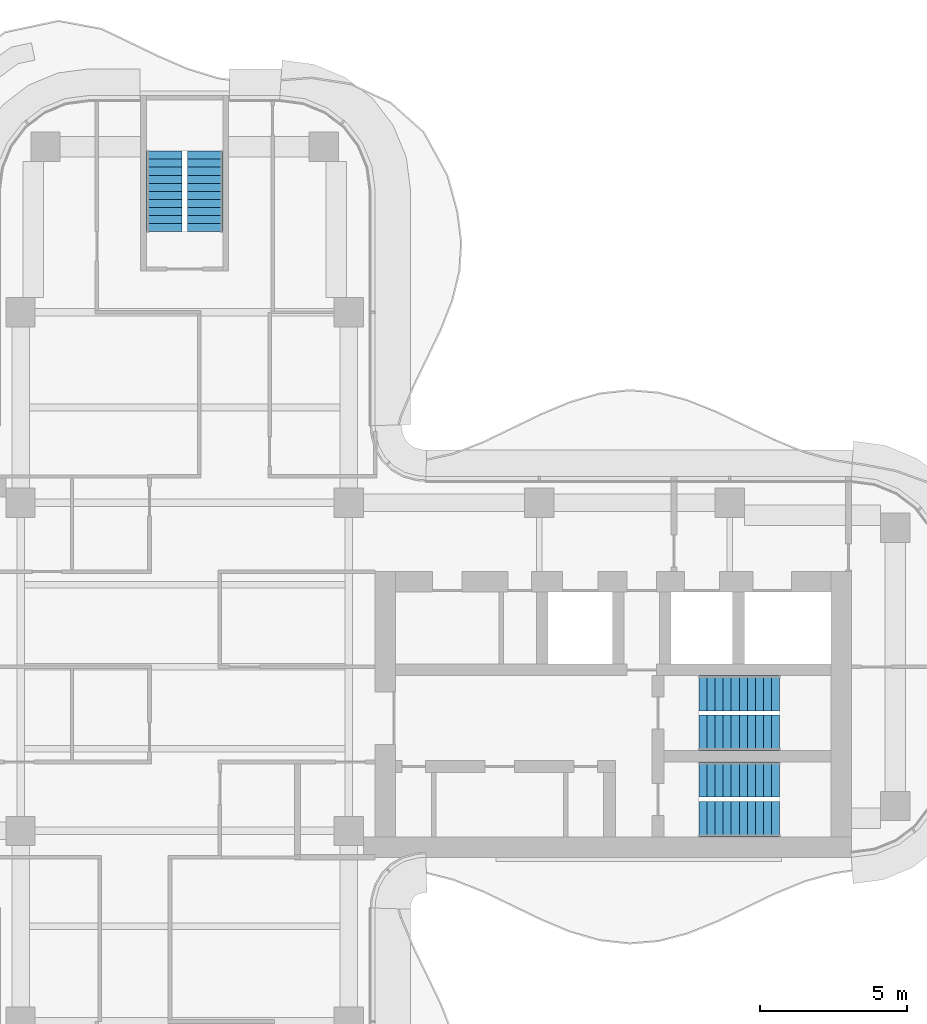
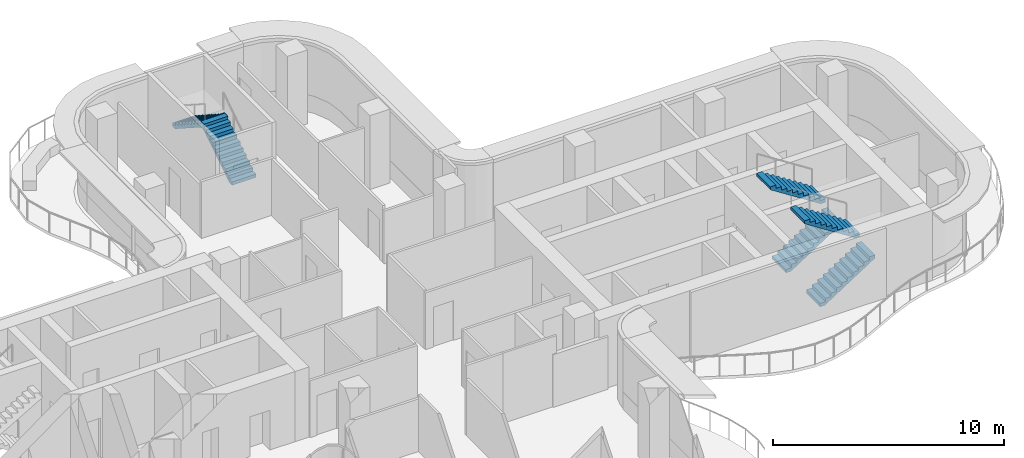
# One storey, part 14 of 16: 6 stair flights, 3 elements without a shape of their own.
"""IFC4 building model written with IfcOpenShell, lengths in metres."""

from ifc_helpers import new_model, si_unit, direction, frame, origin, place, context, subcontext, project, spatial, polyline, outline, extrude, source, transform, mapped, material, type_object, element, aggregate, save


model = new_model("IFC4")

# Units and contexts
model_context = context("Model", 3, precision=1e-05, world=origin(), true_north=direction((0.0, 1.0)))
body_context = subcontext(model_context, "Body", "Model", "MODEL_VIEW")
ifc_project = project(units=[si_unit("LENGTHUNIT", "METRE"), si_unit("AREAUNIT", "SQUARE_METRE"), si_unit("VOLUMEUNIT", "CUBIC_METRE"), si_unit("PLANEANGLEUNIT", "RADIAN"), si_unit("MASSUNIT", "GRAM", prefix="KILO")], contexts=[model_context])

# Site, building, storey
site_placement = place(None, origin())
site = spatial("IfcSite", under=ifc_project, at=site_placement, CompositionType="ELEMENT")
building_placement = place(site_placement, origin())
building = spatial("IfcBuilding", under=site, at=building_placement, Name="Trellis Farm Tower", CompositionType="ELEMENT")
storey_placement = place(building_placement, frame((0.0, 0.0, 318.39990234375)))
storey = spatial("IfcBuildingStorey", under=building, at=storey_placement, Name="L72", CompositionType="ELEMENT", Elevation=318.39990234375)

# Stair, stair flights
ifc_material = material(Name="Concrete C50/60", Category="concrete")
stair_type = type_object("IfcStairType", Name="CORE EXIT STAIR 22 RISERS 177 MM", PredefinedType="HALF_TURN_STAIR", material=ifc_material)
placement = place(storey_placement, origin())
stair_1 = element("IfcStair", 1, at=placement, inside=storey, type_object=stair_type, Name="Exit stair N", PredefinedType="HALF_TURN_STAIR")
stair_flight_type = type_object("IfcStairFlightType", Name="STAIR FLIGHT 11 RISERS 177 MM", PredefinedType="STRAIGHT", material=ifc_material)
shared_shape = source(origin(), body_context, "Body", "SweptSolid", [
    extrude(outline(polyline([(0.0, 0.0), (0.0, 0.17724609375), (0.27490234375, 0.17724609375), (0.27490234375, 0.3544921875), (0.550048828125, 0.3544921875), (0.550048828125, 0.53173828125), (0.824951171875, 0.53173828125), (0.824951171875, 0.708984375), (1.10009765625, 0.708984375), (1.10009765625, 0.886474609375), (1.375, 0.886474609375), (1.375, 1.063720703125), (1.64990234375, 1.063720703125), (1.64990234375, 1.240966796875), (1.925048828125, 1.240966796875), (1.925048828125, 1.418212890625), (2.199951171875, 1.418212890625), (2.199951171875, 1.595458984375), (2.47509765625, 1.595458984375), (2.47509765625, 1.772705078125), (2.75, 1.772705078125), (2.75, 1.949951171875), (2.75, 1.6181640625), (0.23974609375, 0.0), (0.0, 0.0)])), frame((0.0, 0.60009765625, 0.0), z_axis=(0.0, -1.0, 0.0), x_axis=(1.0, 0.0, 0.0)), (0.0, 0.0, 1.0), 1.199951171875),
])
stair_flight_1_placement = place(storey_placement, frame((0.699951171875, 14.85009765625, 0.0), z_axis=(0.0, 0.0, 1.0), x_axis=(0.0, 1.0, 0.0)))
stair_flight_1 = element("IfcStairFlight", 2, at=stair_flight_1_placement, type_object=stair_flight_type, Name="STN flight 1", NumberOfRisers=11, NumberOfTreads=10, PredefinedType="STRAIGHT", RiserHeight=0.177272727, TreadLength=0.275, context=body_context, shape_type="MappedRepresentation", body=[
    mapped(shared_shape, transform((0.0, 0.0, 0.0))),
])
stair_flight_2_placement = place(storey_placement, frame((-0.699951171875, 17.60009765625, 1.9501953125), z_axis=(0.0, 0.0, 1.0), x_axis=(0.0, -1.0, 0.0)))
stair_flight_2 = element("IfcStairFlight", 3, at=stair_flight_2_placement, type_object=stair_flight_type, Name="STN flight 2", NumberOfRisers=11, NumberOfTreads=10, PredefinedType="STRAIGHT", RiserHeight=0.177272727, TreadLength=0.275, context=body_context, shape_type="MappedRepresentation", body=[
    mapped(shared_shape, transform((0.0, 0.0, 0.0))),
])
aggregate(stair_1, [stair_flight_1, stair_flight_2])

stair_2 = element("IfcStair", 4, at=placement, inside=storey, type_object=stair_type, Name="Exit stair E1", PredefinedType="HALF_TURN_STAIR")
stair_flight_3_placement = place(storey_placement, frame((17.550048828125, -5.199951171875, 0.0), z_axis=(0.0, 0.0, 1.0), x_axis=(1.0, 0.0, 0.0)))
stair_flight_3 = element("IfcStairFlight", 5, at=stair_flight_3_placement, type_object=stair_flight_type, Name="STE1 flight 1", NumberOfRisers=11, NumberOfTreads=10, PredefinedType="STRAIGHT", RiserHeight=0.177272727, TreadLength=0.275, context=body_context, shape_type="MappedRepresentation", body=[
    mapped(shared_shape, transform((0.0, 0.0, 0.0))),
])
stair_flight_4_placement = place(storey_placement, frame((20.300048828125, -3.85009765625, 1.9501953125), z_axis=(0.0, 0.0, 1.0), x_axis=(-1.0, 0.0, 0.0)))
stair_flight_4 = element("IfcStairFlight", 6, at=stair_flight_4_placement, type_object=stair_flight_type, Name="STE1 flight 2", NumberOfRisers=11, NumberOfTreads=10, PredefinedType="STRAIGHT", RiserHeight=0.177272727, TreadLength=0.275, context=body_context, shape_type="MappedRepresentation", body=[
    mapped(shared_shape, transform((0.0, 0.0, 0.0))),
])
aggregate(stair_2, [stair_flight_3, stair_flight_4])

stair_3 = element("IfcStair", 7, at=placement, inside=storey, type_object=stair_type, Name="Exit stair E2", PredefinedType="HALF_TURN_STAIR")
stair_flight_5_placement = place(storey_placement, frame((17.550048828125, -2.25, 0.0), z_axis=(0.0, 0.0, 1.0), x_axis=(1.0, 0.0, 0.0)))
stair_flight_5 = element("IfcStairFlight", 8, at=stair_flight_5_placement, type_object=stair_flight_type, Name="STE2 flight 1", NumberOfRisers=11, NumberOfTreads=10, PredefinedType="STRAIGHT", RiserHeight=0.177272727, TreadLength=0.275, context=body_context, shape_type="MappedRepresentation", body=[
    mapped(shared_shape, transform((0.0, 0.0, 0.0))),
])
stair_flight_6_placement = place(storey_placement, frame((20.300048828125, -0.89990234375, 1.9501953125), z_axis=(0.0, 0.0, 1.0), x_axis=(-1.0, 0.0, 0.0)))
stair_flight_6 = element("IfcStairFlight", 9, at=stair_flight_6_placement, type_object=stair_flight_type, Name="STE2 flight 2", NumberOfRisers=11, NumberOfTreads=10, PredefinedType="STRAIGHT", RiserHeight=0.177272727, TreadLength=0.275, context=body_context, shape_type="MappedRepresentation", body=[
    mapped(shared_shape, transform((0.0, 0.0, 0.0))),
])
aggregate(stair_3, [stair_flight_5, stair_flight_6])

save(model, "model.ifc")
